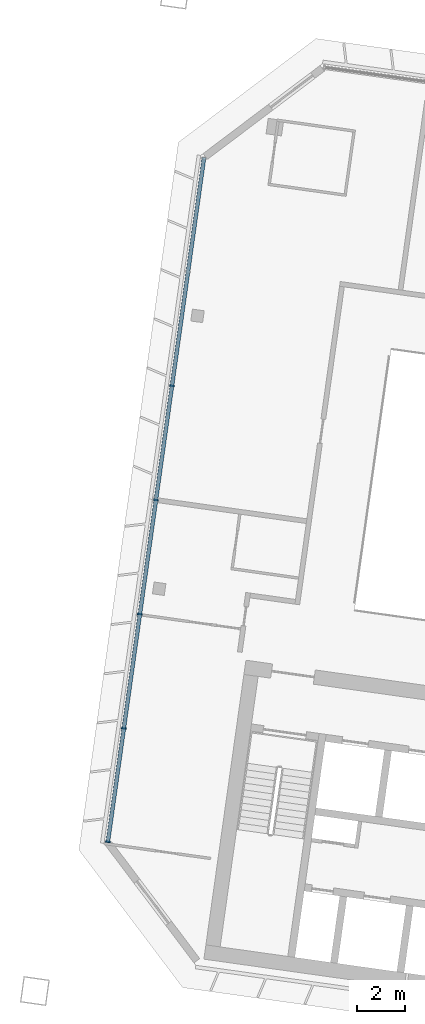
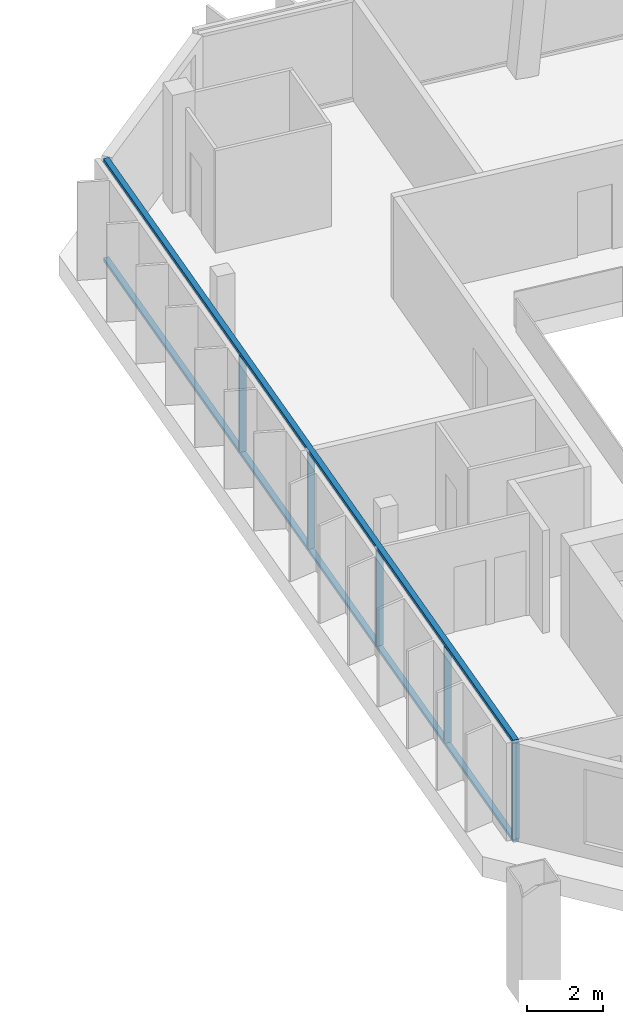
# One storey, part 2 of 30: 7 members, 1 element without a shape of its own.
"""IFC4 building model written with IfcOpenShell, lengths in metres."""

from ifc_helpers import new_model, si_unit, direction, frame, origin, origin_2d, place, context, subcontext, project, spatial, rectangle, extrude, material, material_profile, profile_set, type_object, element, aggregate, save


model = new_model("IFC4")

# Units and contexts
model_context = context("Model", 3, precision=1e-05, world=origin(), true_north=direction((0.0, 1.0)))
body_context = subcontext(model_context, "Body", "Model", "MODEL_VIEW")
ifc_project = project(units=[si_unit("LENGTHUNIT", "METRE"), si_unit("AREAUNIT", "SQUARE_METRE"), si_unit("VOLUMEUNIT", "CUBIC_METRE"), si_unit("PLANEANGLEUNIT", "RADIAN"), si_unit("MASSUNIT", "GRAM", prefix="KILO")], contexts=[model_context])

# Site, building, storey
site_placement = place(None, origin())
site = spatial("IfcSite", under=ifc_project, at=site_placement, CompositionType="ELEMENT")
building_placement = place(site_placement, origin())
building = spatial("IfcBuilding", under=site, at=building_placement, Name="Mirante Cascada Hotel Towers", CompositionType="ELEMENT")
storey_placement = place(building_placement, frame((0.0, 0.0, 258.4)))
storey = spatial("IfcBuildingStorey", under=building, at=storey_placement, Name="L62", CompositionType="ELEMENT", Elevation=258.4)

# Curtain wall, members
ifc_material_1 = material(Name="Aluminium mullion and transom frame with clear laminated glass", Category="aluminium")
curtain_wall_type = type_object("IfcCurtainWallType", Name="End ribbon curtain wall ECW2", PredefinedType="NOTDEFINED", material=ifc_material_1)
curtain_wall_placement = place(storey_placement, origin())
curtain_wall = element("IfcCurtainWall", 1, at=curtain_wall_placement, inside=storey, type_object=curtain_wall_type, Name="Outer end wall T1 L62", PredefinedType="NOTDEFINED")
ifc_material_2 = material(Name="Anodised aluminium extrusion", Category="aluminium")
ifc_material_profile_1 = material_profile(ifc_material_2, rectangle(XDim=0.2, YDim=0.065, at=origin_2d()), Name="ECW2 MULLION 65x200")
ifc_profile_set_1 = profile_set([ifc_material_profile_1], Name="Anodised aluminium extrusion")
member_type_1 = type_object("IfcMemberType", Name="ECW2 mullion 65x200", PredefinedType="MULLION", material=ifc_profile_set_1)
member_1_placement = place(storey_placement, frame((-58.5935, -12.5284, 0.1), z_axis=(0.0, 0.0, 1.0), x_axis=(-0.9902681, 0.1391731, 0.0)))
member_1 = element("IfcMember", 2, at=member_1_placement, type_object=member_type_1, Name="ECW2 mullion 1", PredefinedType="MULLION", context=body_context, shape_type="SweptSolid", body=[
    extrude(rectangle(XDim=0.2, YDim=0.065, at=origin_2d()), origin(), (0.0, 0.0, 1.0), 3.1),
])
member_2_placement = place(storey_placement, frame((-57.9283, -7.7948, 0.1), z_axis=(0.0, 0.0, 1.0), x_axis=(-0.9902681, 0.1391731, 0.0)))
member_2 = element("IfcMember", 3, at=member_2_placement, type_object=member_type_1, Name="ECW2 mullion 2", PredefinedType="MULLION", context=body_context, shape_type="SweptSolid", body=[
    extrude(rectangle(XDim=0.2, YDim=0.065, at=origin_2d()), origin(), (0.0, 0.0, 1.0), 3.1),
])
member_3_placement = place(storey_placement, frame((-57.2585, -3.029, 0.1), z_axis=(0.0, 0.0, 1.0), x_axis=(-0.9902681, 0.1391731, 0.0)))
member_3 = element("IfcMember", 4, at=member_3_placement, type_object=member_type_1, Name="ECW2 mullion 3", PredefinedType="MULLION", context=body_context, shape_type="SweptSolid", body=[
    extrude(rectangle(XDim=0.2, YDim=0.065, at=origin_2d()), origin(), (0.0, 0.0, 1.0), 3.1),
])
member_4_placement = place(storey_placement, frame((-56.5887, 1.7368, 0.1), z_axis=(0.0, 0.0, 1.0), x_axis=(-0.9902681, 0.1391731, 0.0)))
member_4 = element("IfcMember", 5, at=member_4_placement, type_object=member_type_1, Name="ECW2 mullion 4", PredefinedType="MULLION", context=body_context, shape_type="SweptSolid", body=[
    extrude(rectangle(XDim=0.2, YDim=0.065, at=origin_2d()), origin(), (0.0, 0.0, 1.0), 3.1),
])
member_5_placement = place(storey_placement, frame((-55.9189, 6.5026, 0.1), z_axis=(0.0, 0.0, 1.0), x_axis=(-0.9902681, 0.1391731, 0.0)))
member_5 = element("IfcMember", 6, at=member_5_placement, type_object=member_type_1, Name="ECW2 mullion 5", PredefinedType="MULLION", context=body_context, shape_type="SweptSolid", body=[
    extrude(rectangle(XDim=0.2, YDim=0.065, at=origin_2d()), origin(), (0.0, 0.0, 1.0), 3.1),
])
ifc_material_3 = material(Name="Anodised aluminium extrusion", Category="aluminium")
ifc_material_profile_2 = material_profile(ifc_material_3, rectangle(XDim=0.16, YDim=0.1, at=origin_2d()), Name="ECW2 TRANSOM 100x160")
ifc_profile_set_2 = profile_set([ifc_material_profile_2], Name="Anodised aluminium extrusion")
member_type_2 = type_object("IfcMemberType", Name="ECW2 transom 100x160", PredefinedType="USERDEFINED", material=ifc_profile_set_2)
member_6_placement = place(storey_placement, frame((-58.5981, -12.5606, 0.05), z_axis=(0.1391752, 0.9902678, 0.0), x_axis=(-0.9902678, 0.1391752, 0.0)))
member_6 = element("IfcMember", 7, at=member_6_placement, type_object=member_type_2, Name="ECW2 sill transom", ObjectType="TRANSOM", PredefinedType="USERDEFINED", context=body_context, shape_type="SweptSolid", body=[
    extrude(rectangle(XDim=0.16, YDim=0.1, at=origin_2d()), origin(), (0.0, 0.0, 1.0), 28.8758),
])
member_7_placement = place(storey_placement, frame((-58.5981, -12.5606, 3.25), z_axis=(0.1391752, 0.9902678, 0.0), x_axis=(-0.9902678, 0.1391752, 0.0)))
member_7 = element("IfcMember", 8, at=member_7_placement, type_object=member_type_2, Name="ECW2 head transom", ObjectType="TRANSOM", PredefinedType="USERDEFINED", context=body_context, shape_type="SweptSolid", body=[
    extrude(rectangle(XDim=0.16, YDim=0.1, at=origin_2d()), origin(), (0.0, 0.0, 1.0), 28.8758),
])
aggregate(curtain_wall, [member_6, member_7, member_1, member_2, member_3, member_4, member_5])

save(model, "model.ifc")
